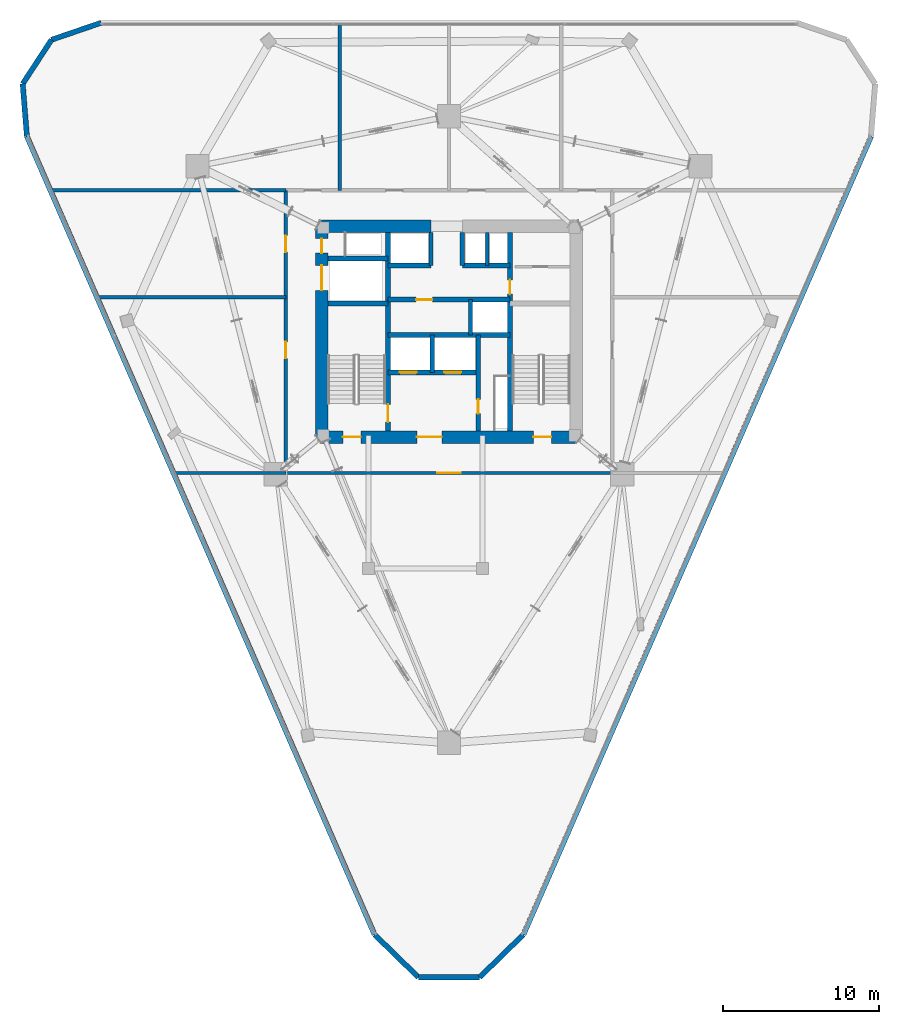
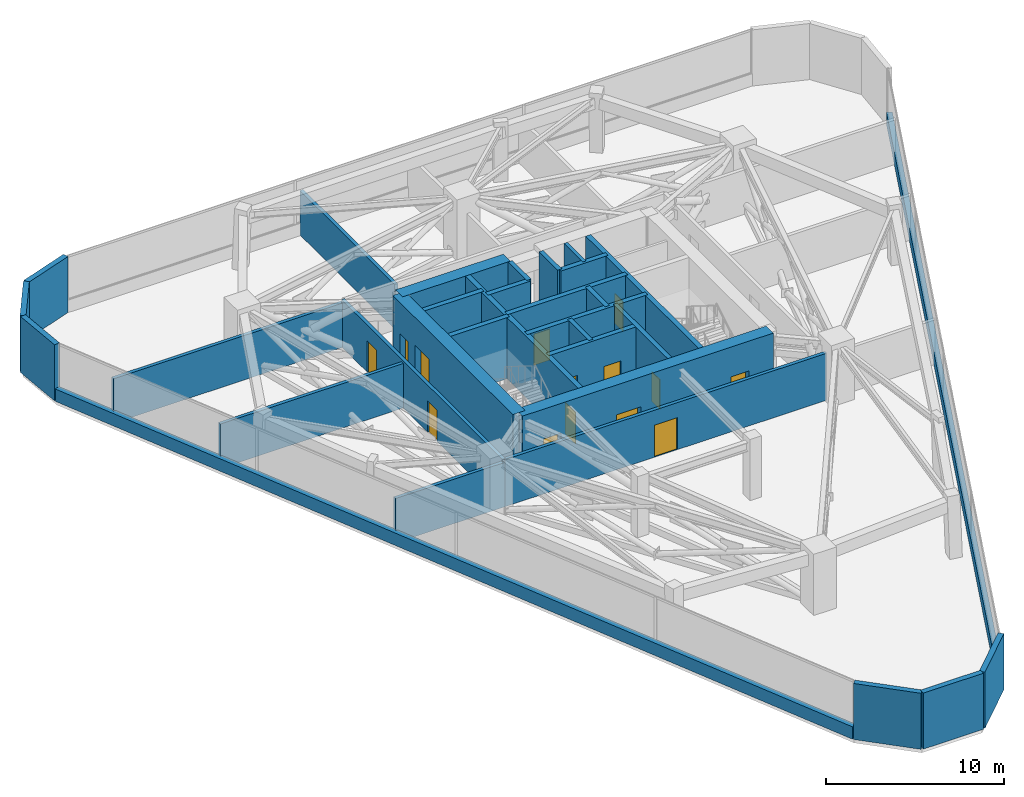
# One storey, part 11 of 13: 32 walls, 14 doors, 14 openings.
"""IFC4 building model written with IfcOpenShell, lengths in metres."""

from ifc_helpers import new_model, si_unit, direction, frame, frame_2d, origin, place, context, subcontext, project, spatial, rectangle, extrude, material, layer, layer_set, type_object, element, fill, save


model = new_model("IFC4")

# Units and contexts
model_context = context("Model", 3, precision=1e-05, world=origin(), true_north=direction((0.0, 1.0)))
body_context = subcontext(model_context, "Body", "Model", "MODEL_VIEW")
ifc_project = project(units=[si_unit("LENGTHUNIT", "METRE"), si_unit("AREAUNIT", "SQUARE_METRE"), si_unit("VOLUMEUNIT", "CUBIC_METRE"), si_unit("PLANEANGLEUNIT", "RADIAN"), si_unit("MASSUNIT", "GRAM", prefix="KILO")], contexts=[model_context])

# Site, building, storey
site_placement = place(None, origin())
site = spatial("IfcSite", under=ifc_project, at=site_placement, CompositionType="ELEMENT")
building_placement = place(site_placement, origin())
building = spatial("IfcBuilding", under=site, at=building_placement, Name="Talyreon Biosciences Tower", CompositionType="ELEMENT")
storey_placement = place(building_placement, frame((0.0, 0.0, 171.0)))
storey = spatial("IfcBuildingStorey", under=building, at=storey_placement, Name="L45", CompositionType="ELEMENT", Elevation=171.0)

# Walls
ifc_material_1 = material(Name="Concrete C50/60", Category="concrete")
ifc_layer_1 = layer(ifc_material_1, 0.219970703125)
ifc_layer_set_1 = layer_set([ifc_layer_1], Name="Concrete C50/60")
wall_type_1 = type_object("IfcWallType", Name="CoreShearWall_220", PredefinedType="SHEAR", material=ifc_layer_set_1)
wall_1_placement = place(storey_placement, frame((68.4599609375, 72.25, 0.0), z_axis=(0.0, 0.0, 1.0), x_axis=(0.0, 1.0, 0.0)))
element("IfcWall", 1, at=wall_1_placement, inside=storey, type_object=wall_type_1, Name="L45 Core Shaft Wall SWPHD", PredefinedType="SHEAR", context=body_context, shape_type="SweptSolid", body=[
    extrude(rectangle(XDim=2.10009765625, YDim=0.219970703125, at=frame_2d((1.050048828125, 0.0))), origin(), (0.0, 0.0, 1.0), 4.199951171875),
])
ifc_layer_2 = layer(ifc_material_1, 0.280029296875)
ifc_layer_set_2 = layer_set([ifc_layer_2], Name="Concrete C50/60")
wall_type_2 = type_object("IfcWallType", Name="CoreShearWall_280", PredefinedType="SHEAR", material=ifc_layer_set_2)
wall_2_placement = place(storey_placement, frame((64.919921875, 65.39990234375, 0.0), z_axis=(0.0, 0.0, 1.0), x_axis=(0.0, 1.0, 0.0)))
element("IfcWall", 2, at=wall_2_placement, inside=storey, type_object=wall_type_2, Name="L45 Core Shaft Wall SWSHD1", PredefinedType="SHEAR", context=body_context, shape_type="SweptSolid", body=[
    extrude(rectangle(XDim=2.400146484375, YDim=0.280029296875, at=frame_2d((1.2001953125, 0.0))), origin(), (0.0, 0.0, 1.0), 4.199951171875),
])
for number, where, z_axis, x_axis, name in (
    (3, (64.85009765625, 72.25, 0.0), (0.0, 0.0, 1.0), (0.0, 1.0, 0.0), "L45 Core Shaft Wall SWTHW"),
    (4, (66.85009765625, 72.25, 0.0), (0.0, 0.0, 1.0), (0.0, 1.0, 0.0), "L45 Core Shaft Wall SWTHE"),
):
    element("IfcWall", number, at=place(storey_placement, frame(where, z_axis=z_axis, x_axis=x_axis)), inside=storey, type_object=wall_type_2, Name=name, PredefinedType="SHEAR", context=body_context, shape_type="SweptSolid", body=[
        extrude(rectangle(XDim=2.10009765625, YDim=0.280029296875, at=frame_2d((1.050048828125, 0.0))), origin(), (0.0, 0.0, 1.0), 4.199951171875),
    ])

# Wall, opening, door
wall_3_placement = place(storey_placement, frame((67.8798828125, 61.64990234375, 0.0), z_axis=(0.0, 0.0, 1.0), x_axis=(0.0, 1.0, 0.0)))
wall_3 = element("IfcWall", 5, at=wall_3_placement, inside=storey, type_object=wall_type_2, Name="L45 Core Shaft Wall SWFFE", PredefinedType="SHEAR", context=body_context, shape_type="SweptSolid", body=[
    extrude(rectangle(XDim=6.150146484375, YDim=0.280029296875, at=frame_2d((3.0751953125, 0.0))), origin(), (0.0, 0.0, 1.0), 4.199951171875),
])
opening_1_placement = place(wall_3_placement, frame((1.10009765625, 0.0, 0.0)))
opening_1 = element("IfcOpeningElement", 6, at=opening_1_placement, cuts=wall_3, Name="Opening DR-L45-RSE", PredefinedType="OPENING", context=body_context, shape_type="SweptSolid", body=[
    extrude(rectangle(XDim=0.919921875, YDim=2.050048828125, at=frame_2d((0.4599609375, 1.02490234375))), frame((0.0, 0.14990234375, 0.0), z_axis=(0.0, -1.0, 0.0), x_axis=(1.0, 0.0, 0.0)), (0.0, 0.0, 1.0), 0.300048828125),
])
ifc_material_2 = material(Name="Painted steel fire-rated riser door", Category="steel")
door_type_1 = type_object("IfcDoorType", Name="RiserPlantAccessDoor_920x2050", OperationType="NOTDEFINED", PredefinedType="DOOR", material=ifc_material_2)
door_1_placement = place(opening_1_placement, origin())
door_1 = element("IfcDoor", 7, at=door_1_placement, inside=storey, type_object=door_type_1, Name="L45 Core Door DR-L45-RSE", OperationType="SINGLE_SWING_RIGHT", OverallHeight=2.050048828125, OverallWidth=0.919921875, PredefinedType="DOOR", context=body_context, shape_type="SweptSolid", body=[
    extrude(rectangle(XDim=0.919921875, YDim=2.050048828125, at=frame_2d((0.4599609375, 1.02490234375))), frame((0.0, 0.02490234375, 0.0), z_axis=(0.0, -1.0, 0.0), x_axis=(1.0, 0.0, 0.0)), (0.0, 0.0, 1.0), 0.050048828125),
])
fill(opening_1, door_1)

# Wall
wall_4_placement = place(storey_placement, frame((67.3798828125, 67.800048828125, 0.0), z_axis=(0.0, 0.0, 1.0), x_axis=(0.0, 1.0, 0.0)))
element("IfcWall", 8, at=wall_4_placement, inside=storey, type_object=wall_type_2, Name="L45 Core Shaft Wall SWPMD", PredefinedType="SHEAR", context=body_context, shape_type="SweptSolid", body=[
    extrude(rectangle(XDim=2.25, YDim=0.280029296875, at=frame_2d((1.125, 0.0))), origin(), (0.0, 0.0, 1.0), 4.199951171875),
])

# Wall, opening, door
ifc_layer_3 = layer(ifc_material_1, 0.320068359375)
ifc_layer_set_3 = layer_set([ifc_layer_3], Name="Concrete C50/60")
wall_type_3 = type_object("IfcWallType", Name="CoreShearWall_320", PredefinedType="SHEAR", material=ifc_layer_set_3)
wall_5_placement = place(storey_placement, frame((62.090087890625, 61.64990234375, 0.0), z_axis=(0.0, 0.0, 1.0), x_axis=(0.0, 1.0, 0.0)))
wall_5 = element("IfcWall", 9, at=wall_5_placement, inside=storey, type_object=wall_type_3, Name="L45 Core Shaft Wall SW1E", PredefinedType="SHEAR", context=body_context, shape_type="SweptSolid", body=[
    extrude(rectangle(XDim=12.7001953125, YDim=0.320068359375, at=frame_2d((6.35009765625, 0.0))), origin(), (0.0, 0.0, 1.0), 4.199951171875),
])
opening_2_placement = place(wall_5_placement, frame((0.550048828125, 0.0, 0.0)))
opening_2 = element("IfcOpeningElement", 10, at=opening_2_placement, cuts=wall_5, Name="Opening DR-L45-FF-ST1", PredefinedType="OPENING", context=body_context, shape_type="SweptSolid", body=[
    extrude(rectangle(XDim=1.14990234375, YDim=2.14990234375, at=frame_2d((0.574951171875, 1.074951171875))), frame((0.0, 0.169921875, 0.0), z_axis=(0.0, -1.0, 0.0), x_axis=(1.0, 0.0, 0.0)), (0.0, 0.0, 1.0), 0.340087890625),
])
ifc_material_3 = material(Name="Painted steel fire door", Category="steel")
door_type_2 = type_object("IfcDoorType", Name="StairShaftFireDoor_1150x2150", OperationType="NOTDEFINED", PredefinedType="DOOR", material=ifc_material_3)
door_2_placement = place(opening_2_placement, origin())
door_2 = element("IfcDoor", 11, at=door_2_placement, inside=storey, type_object=door_type_2, Name="L45 Core Door DR-L45-FF-ST1", OperationType="SINGLE_SWING_LEFT", OverallHeight=2.14990234375, OverallWidth=1.14990234375, PredefinedType="DOOR", context=body_context, shape_type="SweptSolid", body=[
    extrude(rectangle(XDim=1.14990234375, YDim=2.14990234375, at=frame_2d((0.574951171875, 1.074951171875))), frame((0.0, 0.02490234375, 0.0), z_axis=(0.0, -1.0, 0.0), x_axis=(1.0, 0.0, 0.0)), (0.0, 0.0, 1.0), 0.050048828125),
])
fill(opening_2, door_2)

wall_6_placement = place(storey_placement, frame((69.909912109375, 61.64990234375, 0.0), z_axis=(0.0, 0.0, 1.0), x_axis=(0.0, 1.0, 0.0)))
wall_6 = element("IfcWall", 12, at=wall_6_placement, inside=storey, type_object=wall_type_3, Name="L45 Core Shaft Wall SW2W", PredefinedType="SHEAR", context=body_context, shape_type="SweptSolid", body=[
    extrude(rectangle(XDim=12.7001953125, YDim=0.320068359375, at=frame_2d((6.35009765625, 0.0))), origin(), (0.0, 0.0, 1.0), 4.199951171875),
])
opening_3_placement = place(wall_6_placement, frame((8.75, 0.0, 0.0)))
opening_3 = element("IfcOpeningElement", 13, at=opening_3_placement, cuts=wall_6, Name="Opening DR-L45-CSRV", PredefinedType="OPENING", context=body_context, shape_type="SweptSolid", body=[
    extrude(rectangle(XDim=0.919921875, YDim=2.050048828125, at=frame_2d((0.4599609375, 1.02490234375))), frame((0.0, 0.169921875, 0.0), z_axis=(0.0, -1.0, 0.0), x_axis=(1.0, 0.0, 0.0)), (0.0, 0.0, 1.0), 0.340087890625),
])
door_3_placement = place(opening_3_placement, origin())
door_3 = element("IfcDoor", 14, at=door_3_placement, inside=storey, type_object=door_type_1, Name="L45 Core Door DR-L45-CSRV", OperationType="SINGLE_SWING_RIGHT", OverallHeight=2.050048828125, OverallWidth=0.919921875, PredefinedType="DOOR", context=body_context, shape_type="SweptSolid", body=[
    extrude(rectangle(XDim=0.919921875, YDim=2.050048828125, at=frame_2d((0.4599609375, 1.02490234375))), frame((0.0, 0.02490234375, 0.0), z_axis=(0.0, -1.0, 0.0), x_axis=(1.0, 0.0, 0.0)), (0.0, 0.0, 1.0), 0.050048828125),
])
fill(opening_3, door_3)

# Walls
for number, where, z_axis, x_axis, name in (
    (15, (58.25, 69.81005859375, 0.0), (0.0, 0.0, 1.0), (1.0, 0.0, 0.0), "L45 Core Shaft Wall SW1N"),
    (16, (58.25, 72.699951171875, 0.0), (0.0, 0.0, 1.0), (1.0, 0.0, 0.0), "L45 Core Shaft Wall SWGLN"),
):
    element("IfcWall", number, at=place(storey_placement, frame(where, z_axis=z_axis, x_axis=x_axis)), inside=storey, type_object=wall_type_3, Name=name, PredefinedType="SHEAR", context=body_context, shape_type="SweptSolid", body=[
        extrude(rectangle(XDim=3.840087890625, YDim=0.320068359375, at=frame_2d((1.919921875, 0.0))), origin(), (0.0, 0.0, 1.0), 4.199951171875),
    ])
wall_7_placement = place(storey_placement, frame((62.090087890625, 67.800048828125, 0.0), z_axis=(0.0, 0.0, 1.0), x_axis=(1.0, 0.0, 0.0)))
element("IfcWall", 17, at=wall_7_placement, inside=storey, type_object=wall_type_3, Name="L45 Core Shaft Wall SWSHM", PredefinedType="SHEAR", context=body_context, shape_type="SweptSolid", body=[
    extrude(rectangle(XDim=7.81982421875, YDim=0.320068359375, at=frame_2d((3.909912109375, 0.0))), origin(), (0.0, 0.0, 1.0), 4.199951171875),
])

# Wall, opening, door
wall_8_placement = place(storey_placement, frame((62.090087890625, 70.050048828125, 0.0), z_axis=(0.0, 0.0, 1.0), x_axis=(1.0, 0.0, 0.0)))
wall_8 = element("IfcWall", 18, at=wall_8_placement, inside=storey, type_object=wall_type_3, Name="L45 Core Shaft Wall SWSPN", PredefinedType="SHEAR", context=body_context, shape_type="SweptSolid", body=[
    extrude(rectangle(XDim=7.81982421875, YDim=0.320068359375, at=frame_2d((3.909912109375, 0.0))), origin(), (0.0, 0.0, 1.0), 4.199951171875),
])
opening_4_placement = place(wall_8_placement, frame((1.800048828125, 0.0, 0.0)))
opening_4 = element("IfcOpeningElement", 19, at=opening_4_placement, cuts=wall_8, Name="Opening DR-L45-PLFREE-A", PredefinedType="OPENING", context=body_context, shape_type="SweptSolid", body=[
    extrude(rectangle(XDim=1.050048828125, YDim=2.14990234375, at=frame_2d((0.52490234375, 1.074951171875))), frame((0.0, 0.169921875, 0.0), z_axis=(0.0, -1.0, 0.0), x_axis=(1.0, 0.0, 0.0)), (0.0, 0.0, 1.0), 0.340087890625),
])
ifc_material_4 = material(Name="Acoustic timber-core laboratory door", Category="wood")
door_type_3 = type_object("IfcDoorType", Name="DryLabSingleDoor_1050x2150", OperationType="NOTDEFINED", PredefinedType="DOOR", material=ifc_material_4)
door_4_placement = place(opening_4_placement, origin())
door_4 = element("IfcDoor", 20, at=door_4_placement, inside=storey, type_object=door_type_3, Name="L45 Core Door DR-L45-PLFREE-A", OperationType="SINGLE_SWING_LEFT", OverallHeight=2.14990234375, OverallWidth=1.050048828125, PredefinedType="DOOR", context=body_context, shape_type="SweptSolid", body=[
    extrude(rectangle(XDim=1.050048828125, YDim=2.14990234375, at=frame_2d((0.52490234375, 1.074951171875))), frame((0.0, 0.02490234375, 0.0), z_axis=(0.0, -1.0, 0.0), x_axis=(1.0, 0.0, 0.0)), (0.0, 0.0, 1.0), 0.050048828125),
])
fill(opening_4, door_4)

# Walls
wall_9_placement = place(storey_placement, frame((62.090087890625, 72.25, 0.0), z_axis=(0.0, 0.0, 1.0), x_axis=(1.0, 0.0, 0.0)))
element("IfcWall", 21, at=wall_9_placement, inside=storey, type_object=wall_type_3, Name="L45 Core Shaft Wall SWNPW", PredefinedType="SHEAR", context=body_context, shape_type="SweptSolid", body=[
    extrude(rectangle(XDim=2.760009765625, YDim=0.320068359375, at=frame_2d((1.3798828125, 0.0))), origin(), (0.0, 0.0, 1.0), 4.199951171875),
])
wall_10_placement = place(storey_placement, frame((66.85009765625, 72.25, 0.0), z_axis=(0.0, 0.0, 1.0), x_axis=(1.0, 0.0, 0.0)))
element("IfcWall", 22, at=wall_10_placement, inside=storey, type_object=wall_type_3, Name="L45 Core Shaft Wall SWNPE", PredefinedType="SHEAR", context=body_context, shape_type="SweptSolid", body=[
    extrude(rectangle(XDim=3.059814453125, YDim=0.320068359375, at=frame_2d((1.52978515625, 0.0))), origin(), (0.0, 0.0, 1.0), 4.199951171875),
])

# Wall, openings, doors
wall_11_placement = place(storey_placement, frame((62.090087890625, 65.39990234375, 0.0), z_axis=(0.0, 0.0, 1.0), x_axis=(1.0, 0.0, 0.0)))
wall_11 = element("IfcWall", 23, at=wall_11_placement, inside=storey, type_object=wall_type_3, Name="L45 Core Shaft Wall SWFFN", PredefinedType="SHEAR", context=body_context, shape_type="SweptSolid", body=[
    extrude(rectangle(XDim=5.789794921875, YDim=0.320068359375, at=frame_2d((2.89501953125, 0.0))), origin(), (0.0, 0.0, 1.0), 4.199951171875),
])
opening_5_placement = place(wall_11_placement, frame((0.75, 0.0, 0.0)))
opening_5 = element("IfcOpeningElement", 24, at=opening_5_placement, cuts=wall_11, Name="Opening LD-L45-FL1", PredefinedType="OPENING", context=body_context, shape_type="SweptSolid", body=[
    extrude(rectangle(XDim=1.10009765625, YDim=2.199951171875, at=frame_2d((0.550048828125, 1.10009765625))), frame((0.0, 0.169921875, 0.0), z_axis=(0.0, -1.0, 0.0), x_axis=(1.0, 0.0, 0.0)), (0.0, 0.0, 1.0), 0.340087890625),
])
opening_6_placement = place(wall_11_placement, frame((3.60009765625, 0.0, 0.0)))
opening_6 = element("IfcOpeningElement", 25, at=opening_6_placement, cuts=wall_11, Name="Opening LD-L45-FL2", PredefinedType="OPENING", context=body_context, shape_type="SweptSolid", body=[
    extrude(rectangle(XDim=1.10009765625, YDim=2.199951171875, at=frame_2d((0.550048828125, 1.10009765625))), frame((0.0, 0.169921875, 0.0), z_axis=(0.0, -1.0, 0.0), x_axis=(1.0, 0.0, 0.0)), (0.0, 0.0, 1.0), 0.340087890625),
])
ifc_material_5 = material(Name="Brushed stainless-steel lift landing door", Category="steel")
door_type_4 = type_object("IfcDoorType", Name="LiftSlidingLandingDoor_1100x2200", OperationType="SLIDING_TO_LEFT", PredefinedType="DOOR", material=ifc_material_5)
door_5_placement = place(opening_5_placement, origin())
door_5 = element("IfcDoor", 26, at=door_5_placement, inside=storey, type_object=door_type_4, Name="L45 Core Door LD-L45-FL1", OperationType="SLIDING_TO_LEFT", OverallHeight=2.199951171875, OverallWidth=1.10009765625, PredefinedType="DOOR", context=body_context, shape_type="SweptSolid", body=[
    extrude(rectangle(XDim=1.10009765625, YDim=2.199951171875, at=frame_2d((0.550048828125, 1.10009765625))), frame((0.0, 0.02490234375, 0.0), z_axis=(0.0, -1.0, 0.0), x_axis=(1.0, 0.0, 0.0)), (0.0, 0.0, 1.0), 0.050048828125),
])
fill(opening_5, door_5)
door_6_placement = place(opening_6_placement, origin())
door_6 = element("IfcDoor", 27, at=door_6_placement, inside=storey, type_object=door_type_4, Name="L45 Core Door LD-L45-FL2", OperationType="SLIDING_TO_LEFT", OverallHeight=2.199951171875, OverallWidth=1.10009765625, PredefinedType="DOOR", context=body_context, shape_type="SweptSolid", body=[
    extrude(rectangle(XDim=1.10009765625, YDim=2.199951171875, at=frame_2d((0.550048828125, 1.10009765625))), frame((0.0, 0.02490234375, 0.0), z_axis=(0.0, -1.0, 0.0), x_axis=(1.0, 0.0, 0.0)), (0.0, 0.0, 1.0), 0.050048828125),
])
fill(opening_6, door_6)

ifc_material_6 = material(Name="Concrete C60/75", Category="concrete")
ifc_layer_4 = layer(ifc_material_6, 0.800048828125)
ifc_layer_set_4 = layer_set([ifc_layer_4], Name="Concrete C60/75")
wall_type_4 = type_object("IfcWallType", Name="CoreShearWall_800", PredefinedType="SHEAR", material=ifc_layer_set_4)
wall_12_placement = place(storey_placement, frame((57.85009765625, 61.25, 0.0), z_axis=(0.0, 0.0, 1.0), x_axis=(1.0, 0.0, 0.0)))
wall_12 = element("IfcWall", 28, at=wall_12_placement, inside=storey, type_object=wall_type_4, Name="L45 Core Shear Wall S", PredefinedType="SHEAR", context=body_context, shape_type="SweptSolid", body=[
    extrude(rectangle(XDim=16.2998046875, YDim=0.800048828125, at=frame_2d((8.14990234375, 0.0))), origin(), (0.0, 0.0, 1.0), 4.199951171875),
])
opening_7_placement = place(wall_12_placement, frame((1.35009765625, 0.0, 0.0)))
opening_7 = element("IfcOpeningElement", 29, at=opening_7_placement, cuts=wall_12, Name="Opening DR-L45-ST1", PredefinedType="OPENING", context=body_context, shape_type="SweptSolid", body=[
    extrude(rectangle(XDim=1.14990234375, YDim=2.14990234375, at=frame_2d((0.574951171875, 1.074951171875))), frame((0.0, 0.409912109375, 0.0), z_axis=(0.0, -1.0, 0.0), x_axis=(1.0, 0.0, 0.0)), (0.0, 0.0, 1.0), 0.820068359375),
])
opening_8_placement = place(wall_12_placement, frame((6.10009765625, 0.0, 0.0)))
opening_8 = element("IfcOpeningElement", 30, at=opening_8_placement, cuts=wall_12, Name="Opening DR-L45-FFL", PredefinedType="OPENING", context=body_context, shape_type="SweptSolid", body=[
    extrude(rectangle(XDim=1.60009765625, YDim=2.14990234375, at=frame_2d((0.800048828125, 1.074951171875))), frame((0.0, 0.409912109375, 0.0), z_axis=(0.0, -1.0, 0.0), x_axis=(1.0, 0.0, 0.0)), (0.0, 0.0, 1.0), 0.820068359375),
])
opening_9_placement = place(wall_12_placement, frame((13.550048828125, 0.0, 0.0)))
opening_9 = element("IfcOpeningElement", 31, at=opening_9_placement, cuts=wall_12, Name="Opening DR-L45-ST2", PredefinedType="OPENING", context=body_context, shape_type="SweptSolid", body=[
    extrude(rectangle(XDim=1.14990234375, YDim=2.14990234375, at=frame_2d((0.574951171875, 1.074951171875))), frame((0.0, 0.409912109375, 0.0), z_axis=(0.0, -1.0, 0.0), x_axis=(1.0, 0.0, 0.0)), (0.0, 0.0, 1.0), 0.820068359375),
])
ifc_material_7 = material(Name="Painted steel smoke-seal fire door", Category="steel")
door_type_5 = type_object("IfcDoorType", Name="FirefightingLobbyDoubleDoor_1600x2150", OperationType="DOUBLE_DOOR_SINGLE_SWING", PredefinedType="DOOR", material=ifc_material_7)
door_7_placement = place(opening_8_placement, origin())
door_7 = element("IfcDoor", 32, at=door_7_placement, inside=storey, type_object=door_type_5, Name="L45 Core Door DR-L45-FFL", OperationType="DOUBLE_DOOR_SINGLE_SWING", OverallHeight=2.14990234375, OverallWidth=1.60009765625, PredefinedType="DOOR", context=body_context, shape_type="SweptSolid", body=[
    extrude(rectangle(XDim=1.60009765625, YDim=2.14990234375, at=frame_2d((0.800048828125, 1.074951171875))), frame((0.0, 0.02490234375, 0.0), z_axis=(0.0, -1.0, 0.0), x_axis=(1.0, 0.0, 0.0)), (0.0, 0.0, 1.0), 0.050048828125),
])
fill(opening_8, door_7)
door_8_placement = place(opening_7_placement, origin())
door_8 = element("IfcDoor", 33, at=door_8_placement, inside=storey, type_object=door_type_2, Name="L45 Core Door DR-L45-ST1", OperationType="SINGLE_SWING_LEFT", OverallHeight=2.14990234375, OverallWidth=1.14990234375, PredefinedType="DOOR", context=body_context, shape_type="SweptSolid", body=[
    extrude(rectangle(XDim=1.14990234375, YDim=2.14990234375, at=frame_2d((0.574951171875, 1.074951171875))), frame((0.0, 0.02490234375, 0.0), z_axis=(0.0, -1.0, 0.0), x_axis=(1.0, 0.0, 0.0)), (0.0, 0.0, 1.0), 0.050048828125),
])
fill(opening_7, door_8)
door_9_placement = place(opening_9_placement, origin())
door_9 = element("IfcDoor", 34, at=door_9_placement, inside=storey, type_object=door_type_2, Name="L45 Core Door DR-L45-ST2", OperationType="SINGLE_SWING_RIGHT", OverallHeight=2.14990234375, OverallWidth=1.14990234375, PredefinedType="DOOR", context=body_context, shape_type="SweptSolid", body=[
    extrude(rectangle(XDim=1.14990234375, YDim=2.14990234375, at=frame_2d((0.574951171875, 1.074951171875))), frame((0.0, 0.02490234375, 0.0), z_axis=(0.0, -1.0, 0.0), x_axis=(1.0, 0.0, 0.0)), (0.0, 0.0, 1.0), 0.050048828125),
])
fill(opening_9, door_9)

# Wall
wall_13_placement = place(storey_placement, frame((64.85009765625, 74.75, 0.0), z_axis=(0.0, 0.0, 1.0), x_axis=(-1.0, 0.0, 0.0)))
element("IfcWall", 35, at=wall_13_placement, inside=storey, type_object=wall_type_4, Name="L45 Core Shear Wall NW", PredefinedType="SHEAR", context=body_context, shape_type="SweptSolid", body=[
    extrude(rectangle(XDim=7.0, YDim=0.800048828125, at=frame_2d((3.5, 0.0))), origin(), (0.0, 0.0, 1.0), 4.199951171875),
])

# Wall, openings, doors
wall_14_placement = place(storey_placement, frame((57.85009765625, 74.75, 0.0), z_axis=(0.0, 0.0, 1.0), x_axis=(0.0, -1.0, 0.0)))
wall_14 = element("IfcWall", 36, at=wall_14_placement, inside=storey, type_object=wall_type_4, Name="L45 Core Shear Wall W", PredefinedType="SHEAR", context=body_context, shape_type="SweptSolid", body=[
    extrude(rectangle(XDim=13.5, YDim=0.800048828125, at=frame_2d((6.75, 0.0))), origin(), (0.0, 0.0, 1.0), 4.199951171875),
])
opening_10_placement = place(wall_14_placement, frame((0.800048828125, 0.0, 0.0)))
opening_10 = element("IfcOpeningElement", 37, at=opening_10_placement, cuts=wall_14, Name="Opening DR-L45-RSW", PredefinedType="OPENING", context=body_context, shape_type="SweptSolid", body=[
    extrude(rectangle(XDim=0.919921875, YDim=2.050048828125, at=frame_2d((0.4599609375, 1.02490234375))), frame((0.0, 0.409912109375, 0.0), z_axis=(0.0, -1.0, 0.0), x_axis=(1.0, 0.0, 0.0)), (0.0, 0.0, 1.0), 0.820068359375),
])
opening_11_placement = place(wall_14_placement, frame((2.5, 0.0, 0.0)))
opening_11 = element("IfcOpeningElement", 38, at=opening_11_placement, cuts=wall_14, Name="Opening LD-L45-GL1", PredefinedType="OPENING", context=body_context, shape_type="SweptSolid", body=[
    extrude(rectangle(XDim=1.60009765625, YDim=2.300048828125, at=frame_2d((0.800048828125, 1.14990234375))), frame((0.0, 0.409912109375, 0.0), z_axis=(0.0, -1.0, 0.0), x_axis=(1.0, 0.0, 0.0)), (0.0, 0.0, 1.0), 0.820068359375),
])
ifc_material_8 = material(Name="Heavy-duty stainless-steel goods lift door", Category="steel")
door_type_6 = type_object("IfcDoorType", Name="GoodsLiftSlidingDoor_1600x2300", OperationType="DOUBLE_DOOR_SLIDING", PredefinedType="DOOR", material=ifc_material_8)
door_10_placement = place(opening_11_placement, origin())
door_10 = element("IfcDoor", 39, at=door_10_placement, inside=storey, type_object=door_type_6, Name="L45 Core Door LD-L45-GL1", OperationType="DOUBLE_DOOR_SLIDING", OverallHeight=2.300048828125, OverallWidth=1.60009765625, PredefinedType="DOOR", context=body_context, shape_type="SweptSolid", body=[
    extrude(rectangle(XDim=1.60009765625, YDim=2.300048828125, at=frame_2d((0.800048828125, 1.14990234375))), frame((0.0, 0.02490234375, 0.0), z_axis=(0.0, -1.0, 0.0), x_axis=(1.0, 0.0, 0.0)), (0.0, 0.0, 1.0), 0.050048828125),
])
fill(opening_11, door_10)
door_11_placement = place(opening_10_placement, origin())
door_11 = element("IfcDoor", 40, at=door_11_placement, inside=storey, type_object=door_type_1, Name="L45 Core Door DR-L45-RSW", OperationType="SINGLE_SWING_LEFT", OverallHeight=2.050048828125, OverallWidth=0.919921875, PredefinedType="DOOR", context=body_context, shape_type="SweptSolid", body=[
    extrude(rectangle(XDim=0.919921875, YDim=2.050048828125, at=frame_2d((0.4599609375, 1.02490234375))), frame((0.0, 0.02490234375, 0.0), z_axis=(0.0, -1.0, 0.0), x_axis=(1.0, 0.0, 0.0)), (0.0, 0.0, 1.0), 0.050048828125),
])
fill(opening_10, door_11)

# Walls
ifc_material_9 = material(Name="Gypsum fireboard acoustic stud", Category="gypsum")
ifc_layer_5 = layer(ifc_material_9, 0.219970703125)
ifc_layer_set_5 = layer_set([ifc_layer_5], Name="Gypsum fireboard acoustic stud")
wall_type_5 = type_object("IfcWallType", Name="CorridorRatedPartition_220", PredefinedType="PARTITIONING", material=ifc_layer_set_5)
wall_15_placement = place(storey_placement, frame((59.0, 77.050048828125, 0.0), z_axis=(0.0, 0.0, 1.0), x_axis=(0.0, 1.0, 0.0)))
element("IfcWall", 41, at=wall_15_placement, inside=storey, type_object=wall_type_5, Name="L45 Interior Wall IW-L45-ND1", PredefinedType="PARTITIONING", context=body_context, shape_type="SweptSolid", body=[
    extrude(rectangle(XDim=10.650634765625, YDim=0.219970703125, at=frame_2d((5.3251953125, 0.0))), origin(), (0.0, 0.0, 1.0), 3.050048828125),
])
wall_16_placement = place(storey_placement, frame((40.5703125, 77.050048828125, 0.0), z_axis=(0.0, 0.0, 1.0), x_axis=(1.0, 0.0, 0.0)))
element("IfcWall", 42, at=wall_16_placement, inside=storey, type_object=wall_type_5, Name="L45 Interior Wall IW-L45-NDIV-NW", PredefinedType="PARTITIONING", context=body_context, shape_type="SweptSolid", body=[
    extrude(rectangle(XDim=14.979736328125, YDim=0.219970703125, at=frame_2d((7.48974609375, 0.0))), origin(), (0.0, 0.0, 1.0), 3.050048828125),
])
wall_17_placement = place(storey_placement, frame((43.5537109375, 70.199951171875, 0.0), z_axis=(0.0, 0.0, 1.0), x_axis=(1.0, 0.0, 0.0)))
element("IfcWall", 43, at=wall_17_placement, inside=storey, type_object=wall_type_5, Name="L45 Interior Wall IW-L45-WD1", PredefinedType="PARTITIONING", context=body_context, shape_type="SweptSolid", body=[
    extrude(rectangle(XDim=11.996337890625, YDim=0.219970703125, at=frame_2d((5.998046875, 0.0))), origin(), (0.0, 0.0, 1.0), 3.050048828125),
])
wall_18_placement = place(storey_placement, frame((48.453369140625, 58.949951171875, 0.0), z_axis=(0.0, 0.0, 1.0), x_axis=(1.0, 0.0, 0.0)))
element("IfcWall", 44, at=wall_18_placement, inside=storey, type_object=wall_type_5, Name="L45 Interior Wall IW-L45-PDIV-SW", PredefinedType="PARTITIONING", context=body_context, shape_type="SweptSolid", body=[
    extrude(rectangle(XDim=7.0966796875, YDim=0.219970703125, at=frame_2d((3.54833984375, 0.0))), origin(), (0.0, 0.0, 1.0), 3.050048828125),
])

# Wall, opening, door
wall_19_placement = place(storey_placement, frame((55.550048828125, 58.949951171875, 0.0), z_axis=(0.0, 0.0, 1.0), x_axis=(1.0, 0.0, 0.0)))
wall_19 = element("IfcWall", 45, at=wall_19_placement, inside=storey, type_object=wall_type_5, Name="L45 Interior Wall IW-L45-PC-S", PredefinedType="PARTITIONING", context=body_context, shape_type="SweptSolid", body=[
    extrude(rectangle(XDim=20.89990234375, YDim=0.219970703125, at=frame_2d((10.449951171875, 0.0))), origin(), (0.0, 0.0, 1.0), 3.22998046875),
])
opening_12_placement = place(wall_19_placement, frame((9.699951171875, 0.0, 0.0)))
opening_12 = element("IfcOpeningElement", 46, at=opening_12_placement, cuts=wall_19, Name="Opening DR-L45-PL-S", PredefinedType="OPENING", context=body_context, shape_type="SweptSolid", body=[
    extrude(rectangle(XDim=1.5, YDim=2.199951171875, at=frame_2d((0.75, 1.10009765625))), frame((0.0, 0.119873046875, 0.0), z_axis=(0.0, -1.0, 0.0), x_axis=(1.0, 0.0, 0.0)), (0.0, 0.0, 1.0), 0.239990234375),
])
ifc_material_10 = material(Name="Vision-panel steel laboratory fire door", Category="steel")
door_type_7 = type_object("IfcDoorType", Name="WetLabDoubleLeafDoor_1500x2200", OperationType="DOUBLE_DOOR_SINGLE_SWING", PredefinedType="DOOR", material=ifc_material_10)
door_12_placement = place(opening_12_placement, origin())
door_12 = element("IfcDoor", 47, at=door_12_placement, inside=storey, type_object=door_type_7, Name="L45 Interior Door DR-L45-PL-S", OperationType="DOUBLE_DOOR_SINGLE_SWING", OverallHeight=2.199951171875, OverallWidth=1.5, PredefinedType="DOOR", context=body_context, shape_type="SweptSolid", body=[
    extrude(rectangle(XDim=1.5, YDim=2.199951171875, at=frame_2d((0.75, 1.10009765625))), frame((0.0, 0.02490234375, 0.0), z_axis=(0.0, -1.0, 0.0), x_axis=(1.0, 0.0, 0.0)), (0.0, 0.0, 1.0), 0.050048828125),
])
fill(opening_12, door_12)

# Wall, openings, doors
wall_20_placement = place(storey_placement, frame((55.550048828125, 58.949951171875, 0.0), z_axis=(0.0, 0.0, 1.0), x_axis=(0.0, 1.0, 0.0)))
wall_20 = element("IfcWall", 48, at=wall_20_placement, inside=storey, type_object=wall_type_5, Name="L45 Interior Wall IW-L45-PC-W", PredefinedType="PARTITIONING", context=body_context, shape_type="SweptSolid", body=[
    extrude(rectangle(XDim=18.10009765625, YDim=0.219970703125, at=frame_2d((9.050048828125, 0.0))), origin(), (0.0, 0.0, 1.0), 3.22998046875),
])
opening_13_placement = place(wall_20_placement, frame((7.340087890625, 0.0, 0.0)))
opening_13 = element("IfcOpeningElement", 49, at=opening_13_placement, cuts=wall_20, Name="Opening DR-L45-PL-WB", PredefinedType="OPENING", context=body_context, shape_type="SweptSolid", body=[
    extrude(rectangle(XDim=1.050048828125, YDim=2.14990234375, at=frame_2d((0.52490234375, 1.074951171875))), frame((0.0, 0.119873046875, 0.0), z_axis=(0.0, -1.0, 0.0), x_axis=(1.0, 0.0, 0.0)), (0.0, 0.0, 1.0), 0.239990234375),
])
opening_14_placement = place(wall_20_placement, frame((14.14990234375, 0.0, 0.0)))
opening_14 = element("IfcOpeningElement", 50, at=opening_14_placement, cuts=wall_20, Name="Opening DR-L45-PL-WA", PredefinedType="OPENING", context=body_context, shape_type="SweptSolid", body=[
    extrude(rectangle(XDim=1.050048828125, YDim=2.14990234375, at=frame_2d((0.52490234375, 1.074951171875))), frame((0.0, 0.119873046875, 0.0), z_axis=(0.0, -1.0, 0.0), x_axis=(1.0, 0.0, 0.0)), (0.0, 0.0, 1.0), 0.239990234375),
])
door_13_placement = place(opening_13_placement, origin())
door_13 = element("IfcDoor", 51, at=door_13_placement, inside=storey, type_object=door_type_3, Name="L45 Interior Door DR-L45-PL-WB", OperationType="SINGLE_SWING_RIGHT", OverallHeight=2.14990234375, OverallWidth=1.050048828125, PredefinedType="DOOR", context=body_context, shape_type="SweptSolid", body=[
    extrude(rectangle(XDim=1.050048828125, YDim=2.14990234375, at=frame_2d((0.52490234375, 1.074951171875))), frame((0.0, 0.02490234375, 0.0), z_axis=(0.0, -1.0, 0.0), x_axis=(1.0, 0.0, 0.0)), (0.0, 0.0, 1.0), 0.050048828125),
])
fill(opening_13, door_13)
door_14_placement = place(opening_14_placement, origin())
door_14 = element("IfcDoor", 52, at=door_14_placement, inside=storey, type_object=door_type_3, Name="L45 Interior Door DR-L45-PL-WA", OperationType="SINGLE_SWING_RIGHT", OverallHeight=2.14990234375, OverallWidth=1.050048828125, PredefinedType="DOOR", context=body_context, shape_type="SweptSolid", body=[
    extrude(rectangle(XDim=1.050048828125, YDim=2.14990234375, at=frame_2d((0.52490234375, 1.074951171875))), frame((0.0, 0.02490234375, 0.0), z_axis=(0.0, -1.0, 0.0), x_axis=(1.0, 0.0, 0.0)), (0.0, 0.0, 1.0), 0.050048828125),
])
fill(opening_14, door_14)

# Walls
ifc_material_11 = material(Name="Precast concrete C45/55", Category="concrete")
ifc_layer_6 = layer(ifc_material_11, 0.340087890625)
ifc_layer_set_6 = layer_set([ifc_layer_6], Name="Precast concrete C45/55")
wall_type_6 = type_object("IfcWallType", Name="PrecastConcreteSpandrelWall_340", PredefinedType="STANDARD", material=ifc_layer_set_6)
wall_21_placement = place(storey_placement, frame((61.232421875, 29.3955078125, 0.0), z_axis=(0.0, 0.0, 1.0), x_axis=(-0.399299124271, 0.916820707312, 0.0)))
element("IfcWall", 53, at=wall_21_placement, inside=storey, type_object=wall_type_6, Name="L45 Expressed Concrete Sill Wall 00", PredefinedType="STANDARD", context=body_context, shape_type="SweptSolid", body=[
    extrude(rectangle(XDim=55.75146484375, YDim=0.340087890625, at=frame_2d((27.875732421875, 0.0))), origin(), (0.0, 0.0, 1.0), 0.85009765625),
])
for number, where, z_axis, x_axis, name in (
    (54, (38.970947265625, 80.509521484375, 0.0), (0.0, 0.0, 1.0), (-0.080427112157, 0.996760492611, 0.0), "L45 Rounded-Corner Concrete Pier 01"),
    (55, (38.69970703125, 83.87109375, 0.0), (0.0, 0.0, 1.0), (0.548083892996, 0.836423365431, 0.0), "L45 Rounded-Corner Concrete Pier 02"),
):
    element("IfcWall", number, at=place(storey_placement, frame(where, z_axis=z_axis, x_axis=x_axis)), inside=storey, type_object=wall_type_6, Name=name, PredefinedType="STANDARD", context=body_context, shape_type="SweptSolid", body=[
        extrude(rectangle(XDim=3.37255859375, YDim=0.340087890625, at=frame_2d((1.686279296875, 0.0))), origin(), (0.0, 0.0, 1.0), 3.85009765625),
    ])
wall_22_placement = place(storey_placement, frame((40.548095703125, 86.69189453125, 0.0), z_axis=(0.0, 0.0, 1.0), x_axis=(0.94595609767, 0.324294713618, 0.0)))
element("IfcWall", 56, at=wall_22_placement, inside=storey, type_object=wall_type_6, Name="L45 Rounded-Corner Concrete Pier 03", PredefinedType="STANDARD", context=body_context, shape_type="SweptSolid", body=[
    extrude(rectangle(XDim=3.372802734375, YDim=0.340087890625, at=frame_2d((1.6865234375, 0.0))), origin(), (0.0, 0.0, 1.0), 3.85009765625),
])
wall_23_placement = place(storey_placement, frame((93.029052734375, 80.509521484375, 0.0), z_axis=(0.0, 0.0, 1.0), x_axis=(-0.399299124271, -0.916820707312, 0.0)))
element("IfcWall", 57, at=wall_23_placement, inside=storey, type_object=wall_type_6, Name="L45 Expressed Concrete Sill Wall 08", PredefinedType="STANDARD", context=body_context, shape_type="SweptSolid", body=[
    extrude(rectangle(XDim=55.75146484375, YDim=0.340087890625, at=frame_2d((27.875732421875, 0.0))), origin(), (0.0, 0.0, 1.0), 0.85009765625),
])
wall_24_placement = place(storey_placement, frame((70.767578125, 29.3955078125, 0.0), z_axis=(0.0, 0.0, 1.0), x_axis=(-0.715583095566, -0.698527618166, 0.0)))
element("IfcWall", 58, at=wall_24_placement, inside=storey, type_object=wall_type_6, Name="L45 Rounded-Corner Concrete Pier 09", PredefinedType="STANDARD", context=body_context, shape_type="SweptSolid", body=[
    extrude(rectangle(XDim=3.922119140625, YDim=0.340087890625, at=frame_2d((1.9609375, 0.0))), origin(), (0.0, 0.0, 1.0), 3.85009765625),
])
wall_25_placement = place(storey_placement, frame((67.9609375, 26.65576171875, 0.0), z_axis=(0.0, 0.0, 1.0), x_axis=(-1.0, 0.0, 0.0)))
element("IfcWall", 59, at=wall_25_placement, inside=storey, type_object=wall_type_6, Name="L45 Rounded-Corner Concrete Pier 10", PredefinedType="STANDARD", context=body_context, shape_type="SweptSolid", body=[
    extrude(rectangle(XDim=3.921875, YDim=0.340087890625, at=frame_2d((1.9609375, 0.0))), origin(), (0.0, 0.0, 1.0), 3.85009765625),
])
wall_26_placement = place(storey_placement, frame((64.0390625, 26.65576171875, 0.0), z_axis=(0.0, 0.0, 1.0), x_axis=(-0.715583095566, 0.698527618166, 0.0)))
element("IfcWall", 60, at=wall_26_placement, inside=storey, type_object=wall_type_6, Name="L45 Rounded-Corner Concrete Pier 11", PredefinedType="STANDARD", context=body_context, shape_type="SweptSolid", body=[
    extrude(rectangle(XDim=3.922119140625, YDim=0.340087890625, at=frame_2d((1.9609375, 0.0))), origin(), (0.0, 0.0, 1.0), 3.85009765625),
])

save(model, "model.ifc")
